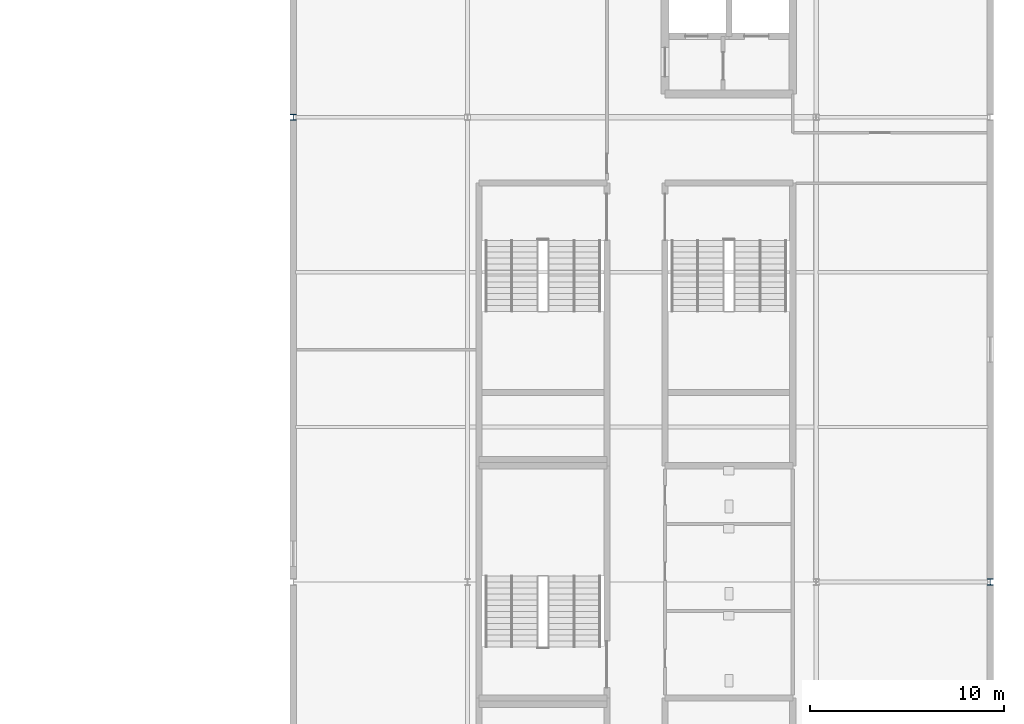
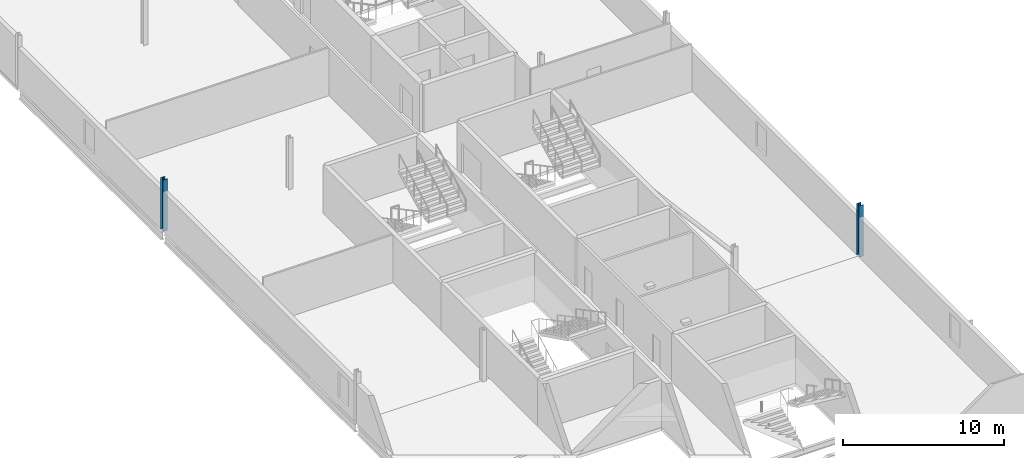
# One storey, part 9 of 31: 2 columns.
"""IFC4 building model written with IfcOpenShell, lengths in metres."""

from ifc_helpers import new_model, si_unit, direction, frame, origin, origin_2d, place, context, subcontext, project, spatial, i_section, extrude, material, material_profile, profile_set, type_object, element, save


model = new_model("IFC4")

# Units and contexts
model_context = context("Model", 3, precision=1e-05, world=origin(), true_north=direction((0.0, 1.0)))
body_context = subcontext(model_context, "Body", "Model", "MODEL_VIEW")
ifc_project = project(units=[si_unit("LENGTHUNIT", "METRE"), si_unit("AREAUNIT", "SQUARE_METRE"), si_unit("VOLUMEUNIT", "CUBIC_METRE"), si_unit("PLANEANGLEUNIT", "RADIAN"), si_unit("MASSUNIT", "GRAM", prefix="KILO")], contexts=[model_context])

# Site, building, storey
site_placement = place(None, origin())
site = spatial("IfcSite", under=ifc_project, at=site_placement, CompositionType="ELEMENT")
building_placement = place(site_placement, origin())
building = spatial("IfcBuilding", under=site, at=building_placement, Name="Kisiwana Market Hall", CompositionType="ELEMENT")
storey_placement = place(building_placement, frame((0.0, 0.0, 45.60009765625)))
storey = spatial("IfcBuildingStorey", under=building, at=storey_placement, Name="L10", CompositionType="ELEMENT", Elevation=45.60009765625)

# Columns
ifc_material = material(Name="Steel S355", Category="steel")
ifc_material_profile = material_profile(ifc_material, i_section(OverallWidth=0.300048828125, OverallDepth=0.320068359375, WebThickness=0.011474609375, FlangeThickness=0.0205078125, FilletRadius=0.027099609375, at=origin_2d()), Name="HEB 320")
ifc_profile_set = profile_set([ifc_material_profile], Name="Steel S355")
column_type = type_object("IfcColumnType", Name="COL-STL-HEB320", PredefinedType="COLUMN", material=ifc_profile_set)
for number, where, z_axis, x_axis, name in (
    (1, (162.0, 84.0, 0.0), (0.0, 0.0, 1.0), (1.0, 0.0, 0.0), "Column L/19 (L10) C-1295"),
    (2, (198.0, 60.0, 0.0), (0.0, 0.0, 1.0), (1.0, 0.0, 0.0), "Column H/23 (L10) C-1314"),
):
    element("IfcColumn", number, at=place(storey_placement, frame(where, z_axis=z_axis, x_axis=x_axis)), inside=storey, type_object=column_type, Name=name, PredefinedType="COLUMN", context=body_context, shape_type="SweptSolid", body=[
        extrude(i_section(OverallWidth=0.300048828125, OverallDepth=0.320068359375, WebThickness=0.011474609375, FlangeThickness=0.0205078125, FilletRadius=0.027099609375, at=origin_2d()), origin(), (0.0, 0.0, 1.0), 3.89990234375),
    ])

save(model, "model.ifc")
